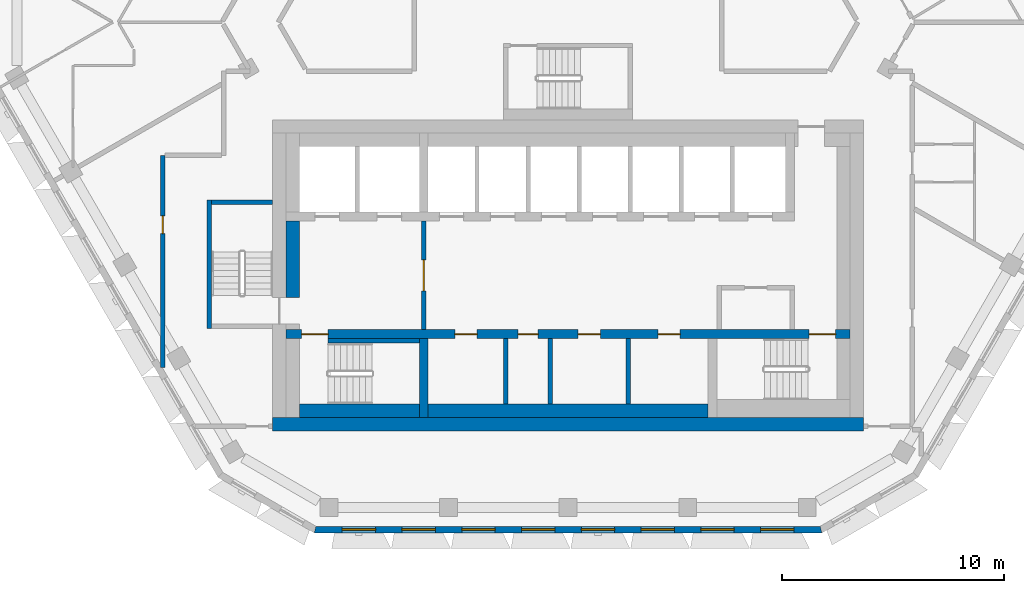
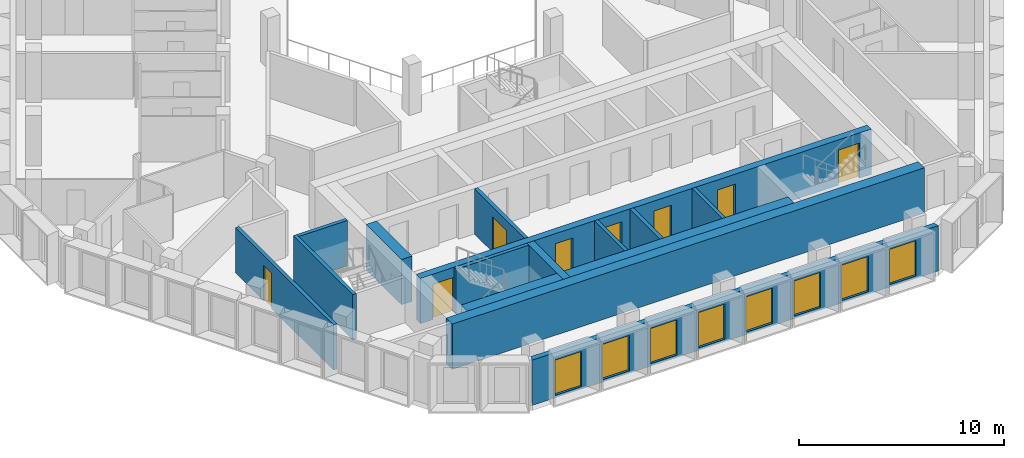
# One storey, part 3 of 18: 15 walls, 8 doors, 8 windows, 16 openings.
"""IFC4 building model written with IfcOpenShell, lengths in metres."""

from ifc_helpers import new_model, si_unit, direction, frame, frame_2d, origin, place, context, subcontext, project, spatial, polyline, rectangle, outline, extrude, material, layer, layer_set, type_object, element, fill, save


model = new_model("IFC4")

# Units and contexts
model_context = context("Model", 3, precision=1e-05, world=origin(), true_north=direction((0.0, 1.0)))
body_context = subcontext(model_context, "Body", "Model", "MODEL_VIEW")
ifc_project = project(units=[si_unit("LENGTHUNIT", "METRE"), si_unit("AREAUNIT", "SQUARE_METRE"), si_unit("VOLUMEUNIT", "CUBIC_METRE"), si_unit("PLANEANGLEUNIT", "RADIAN"), si_unit("MASSUNIT", "GRAM", prefix="KILO")], contexts=[model_context])

# Site, building, storey
site_placement = place(None, origin())
site = spatial("IfcSite", under=ifc_project, at=site_placement, CompositionType="ELEMENT")
building_placement = place(site_placement, origin())
building = spatial("IfcBuilding", under=site, at=building_placement, Name="Beryl Residences", CompositionType="ELEMENT")
storey_placement = place(building_placement, frame((0.0, 0.0, 190.199951171875)))
storey = spatial("IfcBuildingStorey", under=building, at=storey_placement, Name="L58", CompositionType="ELEMENT", Elevation=190.199951171875)

# Wall, openings, windows
ifc_material_1 = material(Name="Composite metal panel with mineral wool insulation")
ifc_layer_1 = layer(ifc_material_1, 0.300048828125)
ifc_layer_set_1 = layer_set([ifc_layer_1], Name="ES1 pale metal composite panel wall 300 mm")
wall_type_1 = type_object("IfcWallType", Name="ES1 pale metal composite panel wall 300 mm", PredefinedType="SOLIDWALL", material=ifc_layer_set_1)
wall_1_placement = place(storey_placement, frame((-11.430908203125, -23.449951171875, 0.0), z_axis=(0.0, 0.0, 1.0), x_axis=(1.0, 0.0, 0.0)))
wall_1 = element("IfcWall", 1, at=wall_1_placement, inside=storey, type_object=wall_type_1, Name="ES1 external wall L58 S", PredefinedType="SOLIDWALL", context=body_context, shape_type="SweptSolid", body=[
    extrude(outline(polyline([(0.0, -0.14990234375), (22.86181640625, -0.14990234375), (22.781494140625, 0.14990234375), (0.080322265625, 0.14990234375), (0.0, -0.14990234375)])), origin(), (0.0, 0.0, 1.0), 2.699951171875),
])
opening_1_placement = place(wall_1_placement, frame((1.260009765625, 0.0, 0.14990234375)))
opening_1 = element("IfcOpeningElement", 2, at=opening_1_placement, cuts=wall_1, Name="Opening W1", PredefinedType="OPENING", context=body_context, shape_type="SweptSolid", body=[
    extrude(rectangle(XDim=1.5, YDim=2.10009765625, at=frame_2d((0.75, 1.050048828125))), frame((0.0, 0.159912109375, 0.0), z_axis=(0.0, -1.0, 0.0), x_axis=(1.0, 0.0, 0.0)), (0.0, 0.0, 1.0), 0.320068359375),
])
opening_2_placement = place(wall_1_placement, frame((3.951904296875, 0.0, 0.14990234375)))
opening_2 = element("IfcOpeningElement", 3, at=opening_2_placement, cuts=wall_1, Name="Opening W1", PredefinedType="OPENING", context=body_context, shape_type="SweptSolid", body=[
    extrude(rectangle(XDim=1.5, YDim=2.10009765625, at=frame_2d((0.75, 1.050048828125))), frame((0.0, 0.159912109375, 0.0), z_axis=(0.0, -1.0, 0.0), x_axis=(1.0, 0.0, 0.0)), (0.0, 0.0, 1.0), 0.320068359375),
])
opening_3_placement = place(wall_1_placement, frame((6.64404296875, 0.0, 0.14990234375)))
opening_3 = element("IfcOpeningElement", 4, at=opening_3_placement, cuts=wall_1, Name="Opening W1", PredefinedType="OPENING", context=body_context, shape_type="SweptSolid", body=[
    extrude(rectangle(XDim=1.5, YDim=2.10009765625, at=frame_2d((0.75, 1.050048828125))), frame((0.0, 0.159912109375, 0.0), z_axis=(0.0, -1.0, 0.0), x_axis=(1.0, 0.0, 0.0)), (0.0, 0.0, 1.0), 0.320068359375),
])
opening_4_placement = place(wall_1_placement, frame((9.3359375, 0.0, 0.14990234375)))
opening_4 = element("IfcOpeningElement", 5, at=opening_4_placement, cuts=wall_1, Name="Opening W1", PredefinedType="OPENING", context=body_context, shape_type="SweptSolid", body=[
    extrude(rectangle(XDim=1.5, YDim=2.10009765625, at=frame_2d((0.75, 1.050048828125))), frame((0.0, 0.159912109375, 0.0), z_axis=(0.0, -1.0, 0.0), x_axis=(1.0, 0.0, 0.0)), (0.0, 0.0, 1.0), 0.320068359375),
])
opening_5_placement = place(wall_1_placement, frame((12.028076171875, 0.0, 0.14990234375)))
opening_5 = element("IfcOpeningElement", 6, at=opening_5_placement, cuts=wall_1, Name="Opening W1", PredefinedType="OPENING", context=body_context, shape_type="SweptSolid", body=[
    extrude(rectangle(XDim=1.5, YDim=2.10009765625, at=frame_2d((0.75, 1.050048828125))), frame((0.0, 0.159912109375, 0.0), z_axis=(0.0, -1.0, 0.0), x_axis=(1.0, 0.0, 0.0)), (0.0, 0.0, 1.0), 0.320068359375),
])
opening_6_placement = place(wall_1_placement, frame((14.719970703125, 0.0, 0.14990234375)))
opening_6 = element("IfcOpeningElement", 7, at=opening_6_placement, cuts=wall_1, Name="Opening W1", PredefinedType="OPENING", context=body_context, shape_type="SweptSolid", body=[
    extrude(rectangle(XDim=1.5, YDim=2.10009765625, at=frame_2d((0.75, 1.050048828125))), frame((0.0, 0.159912109375, 0.0), z_axis=(0.0, -1.0, 0.0), x_axis=(1.0, 0.0, 0.0)), (0.0, 0.0, 1.0), 0.320068359375),
])
opening_7_placement = place(wall_1_placement, frame((17.412109375, 0.0, 0.14990234375)))
opening_7 = element("IfcOpeningElement", 8, at=opening_7_placement, cuts=wall_1, Name="Opening W1", PredefinedType="OPENING", context=body_context, shape_type="SweptSolid", body=[
    extrude(rectangle(XDim=1.5, YDim=2.10009765625, at=frame_2d((0.75, 1.050048828125))), frame((0.0, 0.159912109375, 0.0), z_axis=(0.0, -1.0, 0.0), x_axis=(1.0, 0.0, 0.0)), (0.0, 0.0, 1.0), 0.320068359375),
])
opening_8_placement = place(wall_1_placement, frame((20.10400390625, 0.0, 0.14990234375)))
opening_8 = element("IfcOpeningElement", 9, at=opening_8_placement, cuts=wall_1, Name="Opening W1", PredefinedType="OPENING", context=body_context, shape_type="SweptSolid", body=[
    extrude(rectangle(XDim=1.5, YDim=2.10009765625, at=frame_2d((0.75, 1.050048828125))), frame((0.0, 0.159912109375, 0.0), z_axis=(0.0, -1.0, 0.0), x_axis=(1.0, 0.0, 0.0)), (0.0, 0.0, 1.0), 0.320068359375),
])
ifc_material_2 = material(Name="Aluminium and clear glass", Category="aluminium")
window_type = type_object("IfcWindowType", Name="W1 cell window 1500 x 2100 mm", PartitioningType="SINGLE_PANEL", PredefinedType="WINDOW", material=ifc_material_2)
window_1_placement = place(opening_1_placement, origin())
window_1 = element("IfcWindow", 10, at=window_1_placement, inside=storey, type_object=window_type, Name="W1 window L58 S 1", OverallHeight=2.10009765625, OverallWidth=1.5, PartitioningType="SINGLE_PANEL", PredefinedType="WINDOW", context=body_context, shape_type="SweptSolid", body=[
    extrude(rectangle(XDim=1.5, YDim=2.10009765625, at=frame_2d((0.75, 1.050048828125))), frame((0.0, 0.030029296875, 0.0), z_axis=(0.0, -1.0, 0.0), x_axis=(1.0, 0.0, 0.0)), (0.0, 0.0, 1.0), 0.06005859375),
])
fill(opening_1, window_1)
window_2_placement = place(opening_2_placement, origin())
window_2 = element("IfcWindow", 11, at=window_2_placement, inside=storey, type_object=window_type, Name="W1 window L58 S 2", OverallHeight=2.10009765625, OverallWidth=1.5, PartitioningType="SINGLE_PANEL", PredefinedType="WINDOW", context=body_context, shape_type="SweptSolid", body=[
    extrude(rectangle(XDim=1.5, YDim=2.10009765625, at=frame_2d((0.75, 1.050048828125))), frame((0.0, 0.030029296875, 0.0), z_axis=(0.0, -1.0, 0.0), x_axis=(1.0, 0.0, 0.0)), (0.0, 0.0, 1.0), 0.06005859375),
])
fill(opening_2, window_2)
window_3_placement = place(opening_3_placement, origin())
window_3 = element("IfcWindow", 12, at=window_3_placement, inside=storey, type_object=window_type, Name="W1 window L58 S 3", OverallHeight=2.10009765625, OverallWidth=1.5, PartitioningType="SINGLE_PANEL", PredefinedType="WINDOW", context=body_context, shape_type="SweptSolid", body=[
    extrude(rectangle(XDim=1.5, YDim=2.10009765625, at=frame_2d((0.75, 1.050048828125))), frame((0.0, 0.030029296875, 0.0), z_axis=(0.0, -1.0, 0.0), x_axis=(1.0, 0.0, 0.0)), (0.0, 0.0, 1.0), 0.06005859375),
])
fill(opening_3, window_3)
window_4_placement = place(opening_4_placement, origin())
window_4 = element("IfcWindow", 13, at=window_4_placement, inside=storey, type_object=window_type, Name="W1 window L58 S 4", OverallHeight=2.10009765625, OverallWidth=1.5, PartitioningType="SINGLE_PANEL", PredefinedType="WINDOW", context=body_context, shape_type="SweptSolid", body=[
    extrude(rectangle(XDim=1.5, YDim=2.10009765625, at=frame_2d((0.75, 1.050048828125))), frame((0.0, 0.030029296875, 0.0), z_axis=(0.0, -1.0, 0.0), x_axis=(1.0, 0.0, 0.0)), (0.0, 0.0, 1.0), 0.06005859375),
])
fill(opening_4, window_4)
window_5_placement = place(opening_5_placement, origin())
window_5 = element("IfcWindow", 14, at=window_5_placement, inside=storey, type_object=window_type, Name="W1 window L58 S 5", OverallHeight=2.10009765625, OverallWidth=1.5, PartitioningType="SINGLE_PANEL", PredefinedType="WINDOW", context=body_context, shape_type="SweptSolid", body=[
    extrude(rectangle(XDim=1.5, YDim=2.10009765625, at=frame_2d((0.75, 1.050048828125))), frame((0.0, 0.030029296875, 0.0), z_axis=(0.0, -1.0, 0.0), x_axis=(1.0, 0.0, 0.0)), (0.0, 0.0, 1.0), 0.06005859375),
])
fill(opening_5, window_5)
window_6_placement = place(opening_6_placement, origin())
window_6 = element("IfcWindow", 15, at=window_6_placement, inside=storey, type_object=window_type, Name="W1 window L58 S 6", OverallHeight=2.10009765625, OverallWidth=1.5, PartitioningType="SINGLE_PANEL", PredefinedType="WINDOW", context=body_context, shape_type="SweptSolid", body=[
    extrude(rectangle(XDim=1.5, YDim=2.10009765625, at=frame_2d((0.75, 1.050048828125))), frame((0.0, 0.030029296875, 0.0), z_axis=(0.0, -1.0, 0.0), x_axis=(1.0, 0.0, 0.0)), (0.0, 0.0, 1.0), 0.06005859375),
])
fill(opening_6, window_6)
window_7_placement = place(opening_7_placement, origin())
window_7 = element("IfcWindow", 16, at=window_7_placement, inside=storey, type_object=window_type, Name="W1 window L58 S 7", OverallHeight=2.10009765625, OverallWidth=1.5, PartitioningType="SINGLE_PANEL", PredefinedType="WINDOW", context=body_context, shape_type="SweptSolid", body=[
    extrude(rectangle(XDim=1.5, YDim=2.10009765625, at=frame_2d((0.75, 1.050048828125))), frame((0.0, 0.030029296875, 0.0), z_axis=(0.0, -1.0, 0.0), x_axis=(1.0, 0.0, 0.0)), (0.0, 0.0, 1.0), 0.06005859375),
])
fill(opening_7, window_7)
window_8_placement = place(opening_8_placement, origin())
window_8 = element("IfcWindow", 17, at=window_8_placement, inside=storey, type_object=window_type, Name="W1 window L58 S 8", OverallHeight=2.10009765625, OverallWidth=1.5, PartitioningType="SINGLE_PANEL", PredefinedType="WINDOW", context=body_context, shape_type="SweptSolid", body=[
    extrude(rectangle(XDim=1.5, YDim=2.10009765625, at=frame_2d((0.75, 1.050048828125))), frame((0.0, 0.030029296875, 0.0), z_axis=(0.0, -1.0, 0.0), x_axis=(1.0, 0.0, 0.0)), (0.0, 0.0, 1.0), 0.06005859375),
])
fill(opening_8, window_8)

# Wall, opening, door
ifc_material_3 = material(Name="Concrete masonry", Category="masonry")
ifc_layer_2 = layer(ifc_material_3, 0.199951171875)
ifc_layer_set_2 = layer_set([ifc_layer_2], Name="PT13 lobby wall 200 mm")
wall_type_2 = type_object("IfcWallType", Name="PT13 lobby wall 200 mm", PredefinedType="PARTITIONING", material=ifc_layer_set_2)
wall_2_placement = place(storey_placement, frame((-6.5, -14.449951171875, 0.0), z_axis=(0.0, 0.0, 1.0), x_axis=(0.0, 1.0, 0.0)))
wall_2 = element("IfcWall", 18, at=wall_2_placement, inside=storey, type_object=wall_type_2, Name="Lobby wall 12", PredefinedType="PARTITIONING", context=body_context, shape_type="SweptSolid", body=[
    extrude(rectangle(XDim=4.89990234375, YDim=0.199951171875, at=frame_2d((2.449951171875, 0.0))), origin(), (0.0, 0.0, 1.0), 2.699951171875),
])
opening_9_placement = place(wall_2_placement, frame((3.14990234375, 0.0, 0.0), z_axis=(0.0, 0.0, 1.0), x_axis=(-1.0, 0.0, 0.0)))
opening_9 = element("IfcOpeningElement", 19, at=opening_9_placement, cuts=wall_2, Name="Opening FD-FFL", PredefinedType="OPENING", context=body_context, shape_type="SweptSolid", body=[
    extrude(rectangle(XDim=1.39990234375, YDim=2.10009765625, at=frame_2d((0.699951171875, 1.050048828125))), frame((0.0, 0.10986328125, 0.0), z_axis=(0.0, -1.0, 0.0), x_axis=(1.0, 0.0, 0.0)), (0.0, 0.0, 1.0), 0.219970703125),
])
ifc_material_4 = material(Name="Steel door leaf in steel frame", Category="steel")
door_type_1 = type_object("IfcDoorType", Name="D5 lobby door 1400 x 2100 mm", OperationType="DOUBLE_DOOR_SINGLE_SWING", PredefinedType="DOOR", material=ifc_material_4)
door_1_placement = place(opening_9_placement, origin())
door_1 = element("IfcDoor", 20, at=door_1_placement, inside=storey, type_object=door_type_1, Name="Door FD-FFL L58 001", OperationType="DOUBLE_DOOR_SINGLE_SWING", OverallHeight=2.10009765625, OverallWidth=1.39990234375, PredefinedType="DOOR", context=body_context, shape_type="SweptSolid", body=[
    extrude(rectangle(XDim=1.39990234375, YDim=2.10009765625, at=frame_2d((0.699951171875, 1.050048828125))), frame((0.0, 0.02490234375, 0.0), z_axis=(0.0, -1.0, 0.0), x_axis=(1.0, 0.0, 0.0)), (0.0, 0.0, 1.0), 0.050048828125),
])
fill(opening_9, door_1)

# Wall
ifc_material_5 = material(Name="Concrete masonry", Category="masonry")
ifc_layer_3 = layer(ifc_material_5, 0.60009765625)
ifc_layer_set_3 = layer_set([ifc_layer_3], Name="PT13-600 lobby wall 600 mm")
wall_type_3 = type_object("IfcWallType", Name="PT13-600 lobby wall 600 mm", PredefinedType="PARTITIONING", material=ifc_layer_set_3)
wall_3_placement = place(storey_placement, frame((-12.39990234375, -13.0, 0.0), z_axis=(0.0, 0.0, 1.0), x_axis=(0.0, 1.0, 0.0)))
element("IfcWall", 21, at=wall_3_placement, inside=storey, type_object=wall_type_3, Name="Lobby wall 06", PredefinedType="PARTITIONING", context=body_context, shape_type="SweptSolid", body=[
    extrude(rectangle(XDim=3.449951171875, YDim=0.60009765625, at=frame_2d((1.72509765625, 0.0))), origin(), (0.0, 0.0, 1.0), 2.699951171875),
])

# Wall, opening, door
ifc_material_6 = material(Name="Double stud gypsum board wall")
ifc_layer_4 = layer(ifc_material_6, 0.199951171875)
ifc_layer_set_4 = layer_set([ifc_layer_4], Name="PT4 corridor wall 200 mm double stud")
wall_type_4 = type_object("IfcWallType", Name="PT4 corridor wall 200 mm double stud", PredefinedType="PARTITIONING", material=ifc_layer_set_4)
wall_4_placement = place(storey_placement, frame((-18.25, -16.152099609375, 0.0), z_axis=(0.0, 0.0, 1.0), x_axis=(0.0, 1.0, 0.0)))
wall_4 = element("IfcWall", 22, at=wall_4_placement, inside=storey, type_object=wall_type_4, Name="Wall PT4 L58 025", PredefinedType="PARTITIONING", context=body_context, shape_type="SweptSolid", body=[
    extrude(rectangle(XDim=9.551025390625, YDim=0.199951171875, at=frame_2d((4.775390625, 0.0))), origin(), (0.0, 0.0, 1.0), 2.699951171875),
])
opening_10_placement = place(wall_4_placement, frame((6.02587890625, 0.0, 0.0)))
opening_10 = element("IfcOpeningElement", 23, at=opening_10_placement, cuts=wall_4, Name="Opening D1532", PredefinedType="OPENING", context=body_context, shape_type="SweptSolid", body=[
    extrude(rectangle(XDim=0.800048828125, YDim=2.10009765625, at=frame_2d((0.39990234375, 1.050048828125))), frame((0.0, 0.10986328125, 0.0), z_axis=(0.0, -1.0, 0.0), x_axis=(1.0, 0.0, 0.0)), (0.0, 0.0, 1.0), 0.219970703125),
])
ifc_material_7 = material(Name="Timber door leaf", Category="wood")
door_type_2 = type_object("IfcDoorType", Name="D3 bathroom door 800 x 2100 mm", OperationType="SINGLE_SWING_LEFT", PredefinedType="DOOR", material=ifc_material_7)
door_2_placement = place(opening_10_placement, origin())
door_2 = element("IfcDoor", 24, at=door_2_placement, inside=storey, type_object=door_type_2, Name="Door D1532 L58 001", OperationType="SINGLE_SWING_RIGHT", OverallHeight=2.10009765625, OverallWidth=0.800048828125, PredefinedType="DOOR", context=body_context, shape_type="SweptSolid", body=[
    extrude(rectangle(XDim=0.800048828125, YDim=2.10009765625, at=frame_2d((0.39990234375, 1.050048828125))), frame((0.0, 0.02490234375, 0.0), z_axis=(0.0, -1.0, 0.0), x_axis=(1.0, 0.0, 0.0)), (0.0, 0.0, 1.0), 0.050048828125),
])
fill(opening_10, door_2)

# Walls
ifc_material_8 = material(Name="Concrete C40/50", Category="concrete")
ifc_layer_5 = layer(ifc_material_8, 0.199951171875)
ifc_layer_set_5 = layer_set([ifc_layer_5], Name="PT5 stair enclosure wall 200 mm reinforced concrete C40/50")
wall_type_5 = type_object("IfcWallType", Name="PT5 stair enclosure wall 200 mm reinforced concrete C40/50", PredefinedType="SOLIDWALL", material=ifc_layer_set_5)
wall_5_placement = place(storey_placement, frame((-16.14990234375, -14.39990234375, 0.0), z_axis=(0.0, 0.0, 1.0), x_axis=(0.0, 1.0, 0.0)))
element("IfcWall", 25, at=wall_5_placement, inside=storey, type_object=wall_type_5, Name="Stair wall 01", PredefinedType="SOLIDWALL", context=body_context, shape_type="SweptSolid", body=[
    extrude(rectangle(XDim=5.7998046875, YDim=0.199951171875, at=frame_2d((2.89990234375, 0.0))), origin(), (0.0, 0.0, 1.0), 2.699951171875),
])
wall_6_placement = place(storey_placement, frame((-16.050048828125, -8.699951171875, 0.0), z_axis=(0.0, 0.0, 1.0), x_axis=(1.0, 0.0, 0.0)))
element("IfcWall", 26, at=wall_6_placement, inside=storey, type_object=wall_type_5, Name="Stair wall 03", PredefinedType="SOLIDWALL", context=body_context, shape_type="SweptSolid", body=[
    extrude(rectangle(XDim=2.75, YDim=0.199951171875, at=frame_2d((1.375, 0.0))), origin(), (0.0, 0.0, 1.0), 2.699951171875),
])
wall_7_placement = place(storey_placement, frame((-10.800048828125, -14.949951171875, 0.0), z_axis=(0.0, 0.0, 1.0), x_axis=(1.0, 0.0, 0.0)))
element("IfcWall", 27, at=wall_7_placement, inside=storey, type_object=wall_type_5, Name="Stair wall 10", PredefinedType="SOLIDWALL", context=body_context, shape_type="SweptSolid", body=[
    extrude(rectangle(XDim=4.10009765625, YDim=0.199951171875, at=frame_2d((2.050048828125, 0.0))), origin(), (0.0, 0.0, 1.0), 2.699951171875),
])
ifc_material_9 = material(Name="Concrete C40/50", Category="concrete")
ifc_layer_6 = layer(ifc_material_9, 0.60009765625)
ifc_layer_set_6 = layer_set([ifc_layer_6], Name="PT5-600 stair enclosure wall 600 mm")
wall_type_6 = type_object("IfcWallType", Name="PT5-600 stair enclosure wall 600 mm", PredefinedType="SOLIDWALL", material=ifc_layer_set_6)
wall_8_placement = place(storey_placement, frame((-12.10009765625, -18.10009765625, 0.0), z_axis=(0.0, 0.0, 1.0), x_axis=(1.0, 0.0, 0.0)))
element("IfcWall", 28, at=wall_8_placement, inside=storey, type_object=wall_type_6, Name="Stair wall 08", PredefinedType="SOLIDWALL", context=body_context, shape_type="SweptSolid", body=[
    extrude(rectangle(XDim=5.400146484375, YDim=0.60009765625, at=frame_2d((2.7001953125, 0.0))), origin(), (0.0, 0.0, 1.0), 2.699951171875),
])
ifc_material_10 = material(Name="Concrete masonry", Category="masonry")
ifc_layer_7 = layer(ifc_material_10, 0.199951171875)
ifc_layer_set_7 = layer_set([ifc_layer_7], Name="PT8-200 service room wall 200 mm")
wall_type_7 = type_object("IfcWallType", Name="PT8-200 service room wall 200 mm", PredefinedType="PARTITIONING", material=ifc_layer_set_7)
for number, where, z_axis, x_axis, name in (
    (29, (-2.800048828125, -17.800048828125, 0.0), (0.0, 0.0, 1.0), (0.0, 1.0, 0.0), "Core room wall 16"),
    (30, (-0.800048828125, -17.800048828125, 0.0), (0.0, 0.0, 1.0), (0.0, 1.0, 0.0), "Core room wall 18"),
    (31, (2.699951171875, -17.800048828125, 0.0), (0.0, 0.0, 1.0), (0.0, 1.0, 0.0), "Core room wall 20"),
):
    element("IfcWall", number, at=place(storey_placement, frame(where, z_axis=z_axis, x_axis=x_axis)), inside=storey, type_object=wall_type_7, Name=name, PredefinedType="PARTITIONING", context=body_context, shape_type="SweptSolid", body=[
        extrude(rectangle(XDim=2.949951171875, YDim=0.199951171875, at=frame_2d((1.47509765625, 0.0))), origin(), (0.0, 0.0, 1.0), 2.699951171875),
    ])
ifc_material_11 = material(Name="Concrete masonry", Category="masonry")
ifc_layer_8 = layer(ifc_material_11, 0.60009765625)
ifc_layer_set_8 = layer_set([ifc_layer_8], Name="PT8-600 service room wall 600 mm")
wall_type_8 = type_object("IfcWallType", Name="PT8-600 service room wall 600 mm", PredefinedType="PARTITIONING", material=ifc_layer_set_8)
wall_9_placement = place(storey_placement, frame((-6.300048828125, -18.10009765625, 0.0), z_axis=(0.0, 0.0, 1.0), x_axis=(1.0, 0.0, 0.0)))
element("IfcWall", 32, at=wall_9_placement, inside=storey, type_object=wall_type_8, Name="Core room wall 13", PredefinedType="PARTITIONING", context=body_context, shape_type="SweptSolid", body=[
    extrude(rectangle(XDim=12.60009765625, YDim=0.60009765625, at=frame_2d((6.300048828125, 0.0))), origin(), (0.0, 0.0, 1.0), 2.699951171875),
])
ifc_material_12 = material(Name="Concrete C50/60", Category="concrete")
ifc_layer_9 = layer(ifc_material_12, 0.60009765625)
ifc_layer_set_9 = layer_set([ifc_layer_9], Name="SW4 core outer wall 600 mm C50/60")
wall_type_9 = type_object("IfcWallType", Name="SW4 core outer wall 600 mm C50/60", PredefinedType="SHEAR", material=ifc_layer_set_9)
wall_10_placement = place(storey_placement, frame((-13.300048828125, -18.699951171875, 0.0), z_axis=(0.0, 0.0, 1.0), x_axis=(1.0, 0.0, 0.0)))
element("IfcWall", 33, at=wall_10_placement, inside=storey, type_object=wall_type_9, Name="Core wall S L58", PredefinedType="SHEAR", context=body_context, shape_type="SweptSolid", body=[
    extrude(rectangle(XDim=26.60009765625, YDim=0.60009765625, at=frame_2d((13.300048828125, 0.0))), origin(), (0.0, 0.0, 1.0), 2.699951171875),
])

# Wall, openings, doors
ifc_material_13 = material(Name="Concrete C50/60", Category="concrete")
ifc_layer_10 = layer(ifc_material_13, 0.39990234375)
ifc_layer_set_10 = layer_set([ifc_layer_10], Name="SW9 core internal wall 400 mm C50/60")
wall_type_10 = type_object("IfcWallType", Name="SW9 core internal wall 400 mm C50/60", PredefinedType="SHEAR", material=ifc_layer_set_10)
wall_11_placement = place(storey_placement, frame((-12.699951171875, -14.64990234375, 0.0), z_axis=(0.0, 0.0, 1.0), x_axis=(1.0, 0.0, 0.0)))
wall_11 = element("IfcWall", 34, at=wall_11_placement, inside=storey, type_object=wall_type_10, Name="Core wall SP1 L58", PredefinedType="SHEAR", context=body_context, shape_type="SweptSolid", body=[
    extrude(rectangle(XDim=25.39990234375, YDim=0.39990234375, at=frame_2d((12.699951171875, 0.0))), origin(), (0.0, 0.0, 1.0), 2.699951171875),
])
opening_11_placement = place(wall_11_placement, frame((1.89990234375, 0.0, 0.0), z_axis=(0.0, 0.0, 1.0), x_axis=(-1.0, 0.0, 0.0)))
opening_11 = element("IfcOpeningElement", 35, at=opening_11_placement, cuts=wall_11, Name="Opening SD-1", PredefinedType="OPENING", context=body_context, shape_type="SweptSolid", body=[
    extrude(rectangle(XDim=1.199951171875, YDim=2.10009765625, at=frame_2d((0.60009765625, 1.050048828125))), frame((0.0, 0.2099609375, 0.0), z_axis=(0.0, -1.0, 0.0), x_axis=(1.0, 0.0, 0.0)), (0.0, 0.0, 1.0), 0.419921875),
])
opening_12_placement = place(wall_11_placement, frame((24.75, 0.0, 0.0), z_axis=(0.0, 0.0, 1.0), x_axis=(-1.0, 0.0, 0.0)))
opening_12 = element("IfcOpeningElement", 36, at=opening_12_placement, cuts=wall_11, Name="Opening SD-3", PredefinedType="OPENING", context=body_context, shape_type="SweptSolid", body=[
    extrude(rectangle(XDim=1.199951171875, YDim=2.10009765625, at=frame_2d((0.60009765625, 1.050048828125))), frame((0.0, 0.2099609375, 0.0), z_axis=(0.0, -1.0, 0.0), x_axis=(1.0, 0.0, 0.0)), (0.0, 0.0, 1.0), 0.419921875),
])
opening_13_placement = place(wall_11_placement, frame((8.60009765625, 0.0, 0.0), z_axis=(0.0, 0.0, 1.0), x_axis=(-1.0, 0.0, 0.0)))
opening_13 = element("IfcOpeningElement", 37, at=opening_13_placement, cuts=wall_11, Name="Opening CD-D-S1", PredefinedType="OPENING", context=body_context, shape_type="SweptSolid", body=[
    extrude(rectangle(XDim=1.0, YDim=2.10009765625, at=frame_2d((0.5, 1.050048828125))), frame((0.0, 0.2099609375, 0.0), z_axis=(0.0, -1.0, 0.0), x_axis=(1.0, 0.0, 0.0)), (0.0, 0.0, 1.0), 0.419921875),
])
opening_14_placement = place(wall_11_placement, frame((11.349853515625, 0.0, 0.0), z_axis=(0.0, 0.0, 1.0), x_axis=(-1.0, 0.0, 0.0)))
opening_14 = element("IfcOpeningElement", 38, at=opening_14_placement, cuts=wall_11, Name="Opening CD-D-S2-900", PredefinedType="OPENING", context=body_context, shape_type="SweptSolid", body=[
    extrude(rectangle(XDim=0.89990234375, YDim=2.10009765625, at=frame_2d((0.449951171875, 1.050048828125))), frame((0.0, 0.2099609375, 0.0), z_axis=(0.0, -1.0, 0.0), x_axis=(1.0, 0.0, 0.0)), (0.0, 0.0, 1.0), 0.419921875),
])
opening_15_placement = place(wall_11_placement, frame((14.14990234375, 0.0, 0.0), z_axis=(0.0, 0.0, 1.0), x_axis=(-1.0, 0.0, 0.0)))
opening_15 = element("IfcOpeningElement", 39, at=opening_15_placement, cuts=wall_11, Name="Opening CD-D-S3", PredefinedType="OPENING", context=body_context, shape_type="SweptSolid", body=[
    extrude(rectangle(XDim=1.0, YDim=2.10009765625, at=frame_2d((0.5, 1.050048828125))), frame((0.0, 0.2099609375, 0.0), z_axis=(0.0, -1.0, 0.0), x_axis=(1.0, 0.0, 0.0)), (0.0, 0.0, 1.0), 0.419921875),
])
opening_16_placement = place(wall_11_placement, frame((17.75, 0.0, 0.0), z_axis=(0.0, 0.0, 1.0), x_axis=(-1.0, 0.0, 0.0)))
opening_16 = element("IfcOpeningElement", 40, at=opening_16_placement, cuts=wall_11, Name="Opening CD-D-S4", PredefinedType="OPENING", context=body_context, shape_type="SweptSolid", body=[
    extrude(rectangle(XDim=1.0, YDim=2.10009765625, at=frame_2d((0.5, 1.050048828125))), frame((0.0, 0.2099609375, 0.0), z_axis=(0.0, -1.0, 0.0), x_axis=(1.0, 0.0, 0.0)), (0.0, 0.0, 1.0), 0.419921875),
])
ifc_material_14 = material(Name="Steel door leaf in steel frame", Category="steel")
door_type_3 = type_object("IfcDoorType", Name="D18 service room door 1000 x 2100 mm", OperationType="SINGLE_SWING_LEFT", PredefinedType="DOOR", material=ifc_material_14)
door_3_placement = place(opening_13_placement, origin())
door_3 = element("IfcDoor", 41, at=door_3_placement, inside=storey, type_object=door_type_3, Name="Door CD-D-S1 L58 001", OperationType="SINGLE_SWING_RIGHT", OverallHeight=2.10009765625, OverallWidth=1.0, PredefinedType="DOOR", context=body_context, shape_type="SweptSolid", body=[
    extrude(rectangle(XDim=1.0, YDim=2.10009765625, at=frame_2d((0.5, 1.050048828125))), frame((0.0, 0.02490234375, 0.0), z_axis=(0.0, -1.0, 0.0), x_axis=(1.0, 0.0, 0.0)), (0.0, 0.0, 1.0), 0.050048828125),
])
fill(opening_13, door_3)
door_4_placement = place(opening_15_placement, origin())
door_4 = element("IfcDoor", 42, at=door_4_placement, inside=storey, type_object=door_type_3, Name="Door CD-D-S3 L58 001", OperationType="SINGLE_SWING_RIGHT", OverallHeight=2.10009765625, OverallWidth=1.0, PredefinedType="DOOR", context=body_context, shape_type="SweptSolid", body=[
    extrude(rectangle(XDim=1.0, YDim=2.10009765625, at=frame_2d((0.5, 1.050048828125))), frame((0.0, 0.02490234375, 0.0), z_axis=(0.0, -1.0, 0.0), x_axis=(1.0, 0.0, 0.0)), (0.0, 0.0, 1.0), 0.050048828125),
])
fill(opening_15, door_4)
door_5_placement = place(opening_16_placement, origin())
door_5 = element("IfcDoor", 43, at=door_5_placement, inside=storey, type_object=door_type_3, Name="Door CD-D-S4 L58 001", OperationType="SINGLE_SWING_LEFT", OverallHeight=2.10009765625, OverallWidth=1.0, PredefinedType="DOOR", context=body_context, shape_type="SweptSolid", body=[
    extrude(rectangle(XDim=1.0, YDim=2.10009765625, at=frame_2d((0.5, 1.050048828125))), frame((0.0, 0.02490234375, 0.0), z_axis=(0.0, -1.0, 0.0), x_axis=(1.0, 0.0, 0.0)), (0.0, 0.0, 1.0), 0.050048828125),
])
fill(opening_16, door_5)
ifc_material_15 = material(Name="Steel door leaf in steel frame", Category="steel")
door_type_4 = type_object("IfcDoorType", Name="D4 stair door 1200 x 2100 mm", OperationType="SINGLE_SWING_LEFT", PredefinedType="DOOR", material=ifc_material_15)
door_6_placement = place(opening_11_placement, origin())
door_6 = element("IfcDoor", 44, at=door_6_placement, inside=storey, type_object=door_type_4, Name="Door SD-1 L58 001", OperationType="SINGLE_SWING_RIGHT", OverallHeight=2.10009765625, OverallWidth=1.199951171875, PredefinedType="DOOR", context=body_context, shape_type="SweptSolid", body=[
    extrude(rectangle(XDim=1.199951171875, YDim=2.10009765625, at=frame_2d((0.60009765625, 1.050048828125))), frame((0.0, 0.02490234375, 0.0), z_axis=(0.0, -1.0, 0.0), x_axis=(1.0, 0.0, 0.0)), (0.0, 0.0, 1.0), 0.050048828125),
])
fill(opening_11, door_6)
door_7_placement = place(opening_12_placement, origin())
door_7 = element("IfcDoor", 45, at=door_7_placement, inside=storey, type_object=door_type_4, Name="Door SD-3 L58 001", OperationType="SINGLE_SWING_RIGHT", OverallHeight=2.10009765625, OverallWidth=1.199951171875, PredefinedType="DOOR", context=body_context, shape_type="SweptSolid", body=[
    extrude(rectangle(XDim=1.199951171875, YDim=2.10009765625, at=frame_2d((0.60009765625, 1.050048828125))), frame((0.0, 0.02490234375, 0.0), z_axis=(0.0, -1.0, 0.0), x_axis=(1.0, 0.0, 0.0)), (0.0, 0.0, 1.0), 0.050048828125),
])
fill(opening_12, door_7)
ifc_material_16 = material(Name="Steel door leaf in steel frame", Category="steel")
door_type_5 = type_object("IfcDoorType", Name="D6 service room door 900 x 2100 mm", OperationType="SINGLE_SWING_LEFT", PredefinedType="DOOR", material=ifc_material_16)
door_8_placement = place(opening_14_placement, origin())
door_8 = element("IfcDoor", 46, at=door_8_placement, inside=storey, type_object=door_type_5, Name="Door CD-D-S2-900 L58 001", OperationType="SINGLE_SWING_LEFT", OverallHeight=2.10009765625, OverallWidth=0.89990234375, PredefinedType="DOOR", context=body_context, shape_type="SweptSolid", body=[
    extrude(rectangle(XDim=0.89990234375, YDim=2.10009765625, at=frame_2d((0.449951171875, 1.050048828125))), frame((0.0, 0.02490234375, 0.0), z_axis=(0.0, -1.0, 0.0), x_axis=(1.0, 0.0, 0.0)), (0.0, 0.0, 1.0), 0.050048828125),
])
fill(opening_14, door_8)

# Wall
wall_12_placement = place(storey_placement, frame((-6.5, -18.39990234375, 0.0), z_axis=(0.0, 0.0, 1.0), x_axis=(0.0, 1.0, 0.0)))
element("IfcWall", 47, at=wall_12_placement, inside=storey, type_object=wall_type_10, Name="Core wall XS1 L58", PredefinedType="SHEAR", context=body_context, shape_type="SweptSolid", body=[
    extrude(rectangle(XDim=3.5498046875, YDim=0.39990234375, at=frame_2d((1.77490234375, 0.0))), origin(), (0.0, 0.0, 1.0), 2.699951171875),
])

save(model, "model.ifc")
